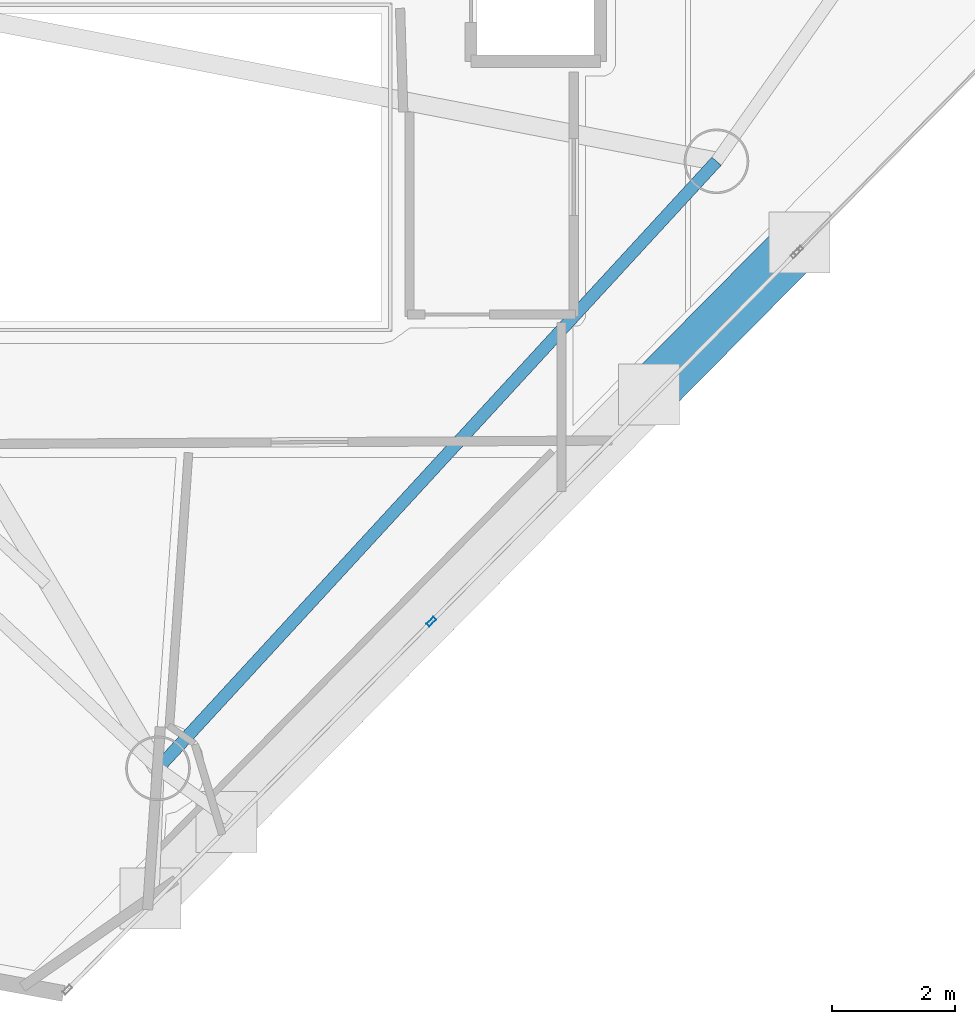
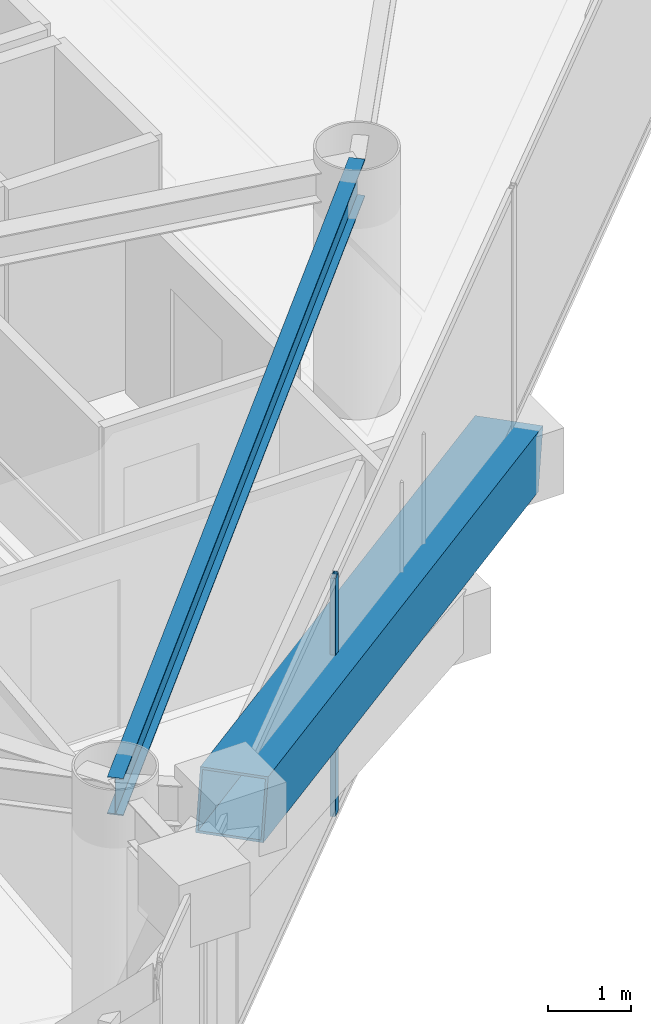
# One storey, part 4 of 20: 2 members, 1 beam, 1 element without a shape of its own.
"""IFC4 building model written with IfcOpenShell, lengths in metres."""

from ifc_helpers import new_model, si_unit, direction, frame, origin, origin_2d, place, context, subcontext, project, spatial, hollow_rectangle, i_section, extrude, material, layer, layer_set, material_profile, profile_set, type_object, element, aggregate, save


model = new_model("IFC4")

# Units and contexts
model_context = context("Model", 3, precision=1e-05, world=origin(), true_north=direction((0.0, 1.0)))
body_context = subcontext(model_context, "Body", "Model", "MODEL_VIEW")
ifc_project = project(units=[si_unit("LENGTHUNIT", "METRE"), si_unit("AREAUNIT", "SQUARE_METRE"), si_unit("VOLUMEUNIT", "CUBIC_METRE"), si_unit("PLANEANGLEUNIT", "RADIAN"), si_unit("MASSUNIT", "GRAM", prefix="KILO")], contexts=[model_context])

# Site, building, storey
site_placement = place(None, origin())
site = spatial("IfcSite", under=ifc_project, at=site_placement, CompositionType="ELEMENT")
building_placement = place(site_placement, origin())
building = spatial("IfcBuilding", under=site, at=building_placement, Name="Qianvela Tower", CompositionType="ELEMENT")
storey_placement = place(building_placement, frame((0.0, 0.0, 239.0)))
storey = spatial("IfcBuildingStorey", under=building, at=storey_placement, Name="L61", CompositionType="ELEMENT", Elevation=239.0)

# Beam
ifc_material_1 = material(Name="Steel Q355B", Category="steel")
ifc_material_profile_1 = material_profile(ifc_material_1, i_section(OverallWidth=0.199951171875, OverallDepth=0.550048828125, WebThickness=0.010009765625, FlangeThickness=0.01611328125, at=origin_2d()), Name="HN550x200x10x16")
ifc_profile_set_1 = profile_set([ifc_material_profile_1], Name="Steel Q355B")
beam_type = type_object("IfcBeamType", Name="BM-HN550-GIRD", PredefinedType="BEAM", material=ifc_profile_set_1)
beam_placement = place(storey_placement, frame((36.368896484375, 10.741943359375, 3.242919921875), z_axis=(0.677042708154, 0.735943728376, 0.0), x_axis=(-0.735943728376, 0.677042708154, 0.0)))
element("IfcBeam", 1, at=beam_placement, inside=storey, type_object=beam_type, Name="L61 Perimeter Ring Spandrel Girder 5", PredefinedType="BEAM", context=body_context, shape_type="SweptSolid", body=[
    extrude(i_section(OverallWidth=0.199951171875, OverallDepth=0.550048828125, WebThickness=0.010009765625, FlangeThickness=0.01611328125, at=origin_2d()), origin(), (0.0, 0.0, 1.0), 13.392333984375),
])

# Curtain wall, member
ifc_material_2 = material(Name="Anodised Architectural Aluminium and Insulated Spandrel Panel", Category="aluminium")
ifc_layer = layer(ifc_material_2, 0.179931640625)
ifc_layer_set = layer_set([ifc_layer], Name="Anodised Architectural Aluminium and Insulated Spandrel Panel")
curtain_wall_type = type_object("IfcCurtainWallType", Name="CW-BRACEBAY", PredefinedType="USERDEFINED", material=ifc_layer_set)
curtain_wall_placement = place(storey_placement, origin())
curtain_wall = element("IfcCurtainWall", 2, at=curtain_wall_placement, inside=storey, type_object=curtain_wall_type, Name="L61 CW-BRACEBAY Curtain Wall 06A", ObjectType="CURTAIN_WALL_SYSTEM", PredefinedType="USERDEFINED")
ifc_material_3 = material(Name="Anodised Architectural Aluminium 6063-T6", Category="aluminium")
ifc_material_profile_2 = material_profile(ifc_material_3, hollow_rectangle(XDim=0.06494140625, YDim=0.159912109375, WallThickness=0.0048828125, at=origin_2d()), Name="ALU-MULL-65x160")
ifc_profile_set_2 = profile_set([ifc_material_profile_2], Name="Anodised Architectural Aluminium 6063-T6")
member_type_1 = type_object("IfcMemberType", Name="CW-BRACEBAY-MULL", PredefinedType="MULLION", material=ifc_profile_set_2)
member_1_placement = place(storey_placement, frame((40.805908203125, 13.122802734375, 0.0), z_axis=(0.0, 0.0, 1.0), x_axis=(-0.71096174765, 0.703230682905, 0.0)))
member_1 = element("IfcMember", 3, at=member_1_placement, type_object=member_type_1, Name="CW-9 mullion 2", PredefinedType="MULLION", context=body_context, shape_type="SweptSolid", body=[
    extrude(hollow_rectangle(XDim=0.06494140625, YDim=0.159912109375, WallThickness=0.0048828125, at=origin_2d()), origin(), (0.0, 0.0, 1.0), 3.52001953125),
])
aggregate(curtain_wall, [member_1])

# Member
ifc_material_4 = material(Name="Steel Q420GJC", Category="steel")
ifc_material_profile_3 = material_profile(ifc_material_4, hollow_rectangle(XDim=0.85009765625, YDim=0.85009765625, WallThickness=0.031982421875, at=origin_2d()), Name="MBOX-850x850x32")
ifc_profile_set_3 = profile_set([ifc_material_profile_3], Name="Steel Q420GJC")
member_type_2 = type_object("IfcMemberType", Name="MBR-MBRACE-850", PredefinedType="BRACE", material=ifc_profile_set_3)
member_2_placement = place(storey_placement, frame((46.74609375, 19.241943359375, -0.48193359375), z_axis=(-0.676837985548, -0.684270255121, 0.271412157568), x_axis=(0.710957306496, -0.703235172854, 0.0)))
element("IfcMember", 4, at=member_2_placement, inside=storey, type_object=member_type_2, Name="L61 Tier 10 Exterior Mega-Brace F3B", PredefinedType="BRACE", context=body_context, shape_type="SweptSolid", body=[
    extrude(hollow_rectangle(XDim=0.85009765625, YDim=0.85009765625, WallThickness=0.031982421875, at=origin_2d()), origin(), (0.0, 0.0, 1.0), 13.63232421875),
])

save(model, "model.ifc")
